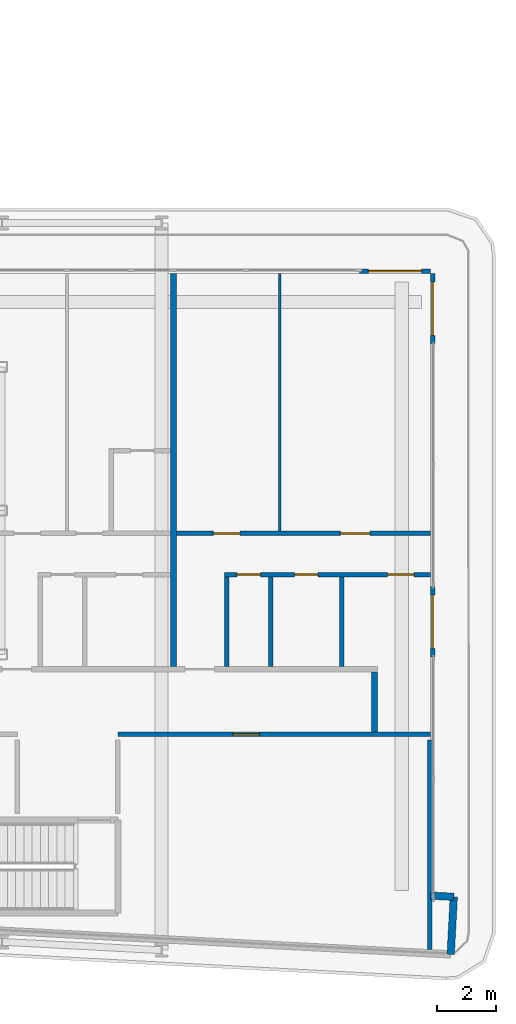
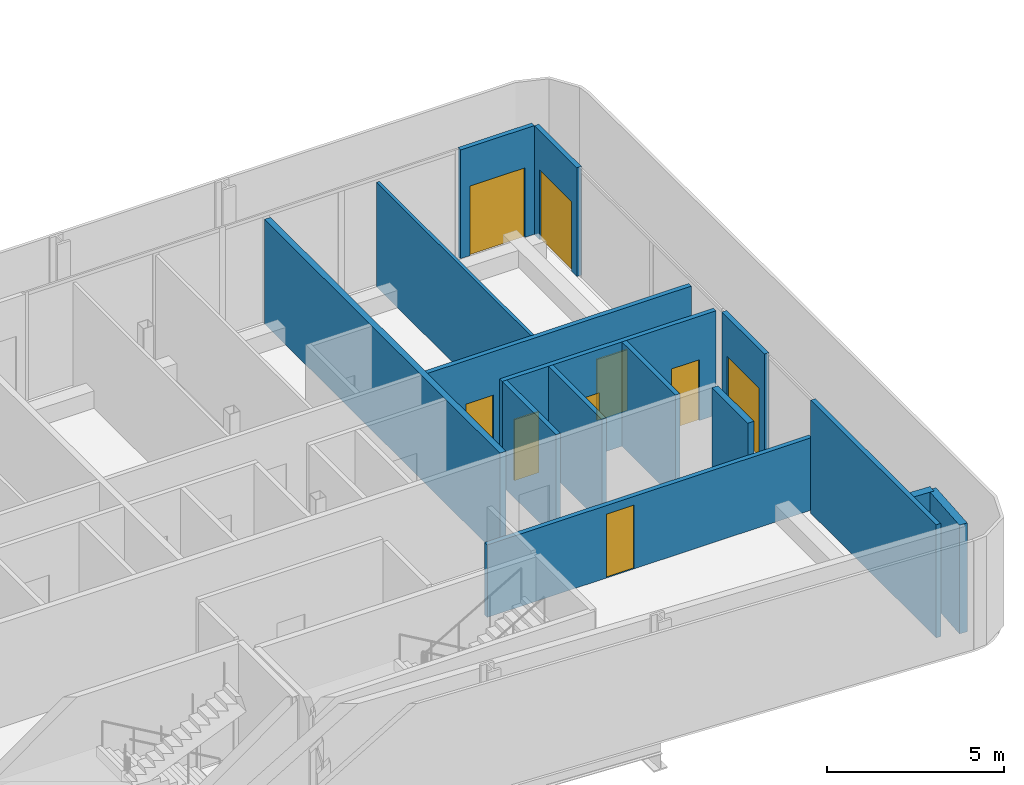
# One storey, part 19 of 28: 15 walls, 9 doors, 9 openings.
"""IFC4 building model written with IfcOpenShell, lengths in metres."""

from ifc_helpers import new_model, si_unit, direction, frame, frame_2d, origin, place, context, subcontext, project, spatial, rectangle, extrude, source, transform, mapped, material, layer, layer_set, type_object, element, fill, save


model = new_model("IFC4")

# Units and contexts
model_context = context("Model", 3, precision=1e-05, world=origin(), true_north=direction((0.0, 1.0)))
body_context = subcontext(model_context, "Body", "Model", "MODEL_VIEW")
ifc_project = project(units=[si_unit("LENGTHUNIT", "METRE"), si_unit("AREAUNIT", "SQUARE_METRE"), si_unit("VOLUMEUNIT", "CUBIC_METRE"), si_unit("PLANEANGLEUNIT", "RADIAN"), si_unit("MASSUNIT", "GRAM", prefix="KILO")], contexts=[model_context])

# Site, building, storey
site_placement = place(None, origin())
site = spatial("IfcSite", under=ifc_project, at=site_placement, CompositionType="ELEMENT")
building_placement = place(site_placement, origin())
building = spatial("IfcBuilding", under=site, at=building_placement, Name="Kheshtan School and Residences Tower", CompositionType="ELEMENT")
storey_placement = place(building_placement, frame((0.0, 0.0, 77.300048828125)))
storey = spatial("IfcBuildingStorey", under=building, at=storey_placement, Name="L18", CompositionType="ELEMENT", Elevation=77.300048828125)

# Walls
ifc_material_1 = material(Name="Gypsum board on steel studs with fire boards", Category="steel")
ifc_layer_1 = layer(ifc_material_1, 0.199951171875)
ifc_layer_set_1 = layer_set([ifc_layer_1], Name="Corridor wall 200")
wall_type_1 = type_object("IfcWallType", Name="Corridor wall 200", PredefinedType="PARTITIONING", material=ifc_layer_set_1)
wall_1_placement = place(storey_placement, frame((98.0, 28.3740234375, 0.0), z_axis=(0.0, 0.0, 1.0), x_axis=(0.0, 1.0, 0.0)))
element("IfcWall", 1, at=wall_1_placement, inside=storey, type_object=wall_type_1, Name="Partition L18-091", PredefinedType="PARTITIONING", context=body_context, shape_type="SweptSolid", body=[
    extrude(rectangle(XDim=2.02587890625, YDim=0.199951171875, at=frame_2d((1.012939453125, 0.0))), origin(), (0.0, 0.0, 1.0), 3.599853515625),
])
ifc_material_2 = material(Name="Concrete C40/50 with ceramic cladding and mineral wool insulation", Category="concrete")
ifc_layer_2 = layer(ifc_material_2, 0.25)
ifc_layer_set_2 = layer_set([ifc_layer_2], Name="External wall 250 ceramic clad")
wall_type_2 = type_object("IfcWallType", Name="External wall 250 ceramic clad", PredefinedType="SOLIDWALL", material=ifc_layer_set_2)
wall_2_placement = place(storey_placement, frame((99.906982421875, 22.839111328125, 0.0), z_axis=(0.0, 0.0, 1.0), x_axis=(0.998561284263, -0.053622398031, 0.0)))
element("IfcWall", 2, at=wall_2_placement, inside=storey, type_object=wall_type_2, Name="External wall L18 14", PredefinedType="SOLIDWALL", context=body_context, shape_type="SweptSolid", body=[
    extrude(rectangle(XDim=0.783203125, YDim=0.25, at=frame_2d((0.3916015625, 0.0))), origin(), (0.0, 0.0, 1.0), 3.75),
])
wall_3_placement = place(storey_placement, frame((100.68896484375, 22.797119140625, 0.0), z_axis=(0.0, 0.0, 1.0), x_axis=(-0.052841433274, -0.998602915542, 0.0)))
element("IfcWall", 3, at=wall_3_placement, inside=storey, type_object=wall_type_2, Name="External wall L18 15", PredefinedType="SOLIDWALL", context=body_context, shape_type="SweptSolid", body=[
    extrude(rectangle(XDim=1.94970703125, YDim=0.25, at=frame_2d((0.974853515625, 0.0))), origin(), (0.0, 0.0, 1.0), 3.75),
])

# Wall, opening, door
ifc_material_3 = material(Name="Aluminium frame wall with insulated infill", Category="aluminium")
ifc_layer_3 = layer(ifc_material_3, 0.14990234375)
ifc_layer_set_3 = layer_set([ifc_layer_3], Name="Glazing frame wall 150")
wall_type_3 = type_object("IfcWallType", Name="Glazing frame wall 150", PredefinedType="SOLIDWALL", material=ifc_layer_set_3)
wall_4_placement = place(storey_placement, frame((97.5, 43.97509765625, 0.0), z_axis=(0.0, 0.0, 1.0), x_axis=(1.0, 0.0, 0.0)))
wall_4 = element("IfcWall", 4, at=wall_4_placement, inside=storey, type_object=wall_type_3, Name="Balcony door wall L18 12.5", PredefinedType="SOLIDWALL", context=body_context, shape_type="SweptSolid", body=[
    extrude(rectangle(XDim=2.39990234375, YDim=0.14990234375, at=frame_2d((1.199951171875, 0.0))), origin(), (0.0, 0.0, 1.0), 3.75),
])
opening_1_placement = place(wall_4_placement, frame((0.300048828125, 0.0, 0.0)))
opening_1 = element("IfcOpeningElement", 5, at=opening_1_placement, cuts=wall_4, Name="Opening BD", PredefinedType="OPENING", context=body_context, shape_type="SweptSolid", body=[
    extrude(rectangle(XDim=1.800048828125, YDim=2.39990234375, at=frame_2d((0.89990234375, 1.199951171875))), frame((0.0, 0.0849609375, 0.0), z_axis=(0.0, -1.0, 0.0), x_axis=(1.0, 0.0, 0.0)), (0.0, 0.0, 1.0), 0.169921875),
])
ifc_material_4 = material(Name="Clear low-e glass in thermally broken aluminium frame", Category="aluminium")
door_type_1 = type_object("IfcDoorType", Name="Balcony sliding door", OperationType="SLIDING_TO_LEFT", PredefinedType="DOOR", material=ifc_material_4)
shared_shape_1 = source(origin(), body_context, "Body", "SweptSolid", [
    extrude(rectangle(XDim=1.800048828125, YDim=2.39990234375, at=frame_2d((0.89990234375, 1.199951171875))), frame((0.0, 0.02490234375, 0.0), z_axis=(0.0, -1.0, 0.0), x_axis=(1.0, 0.0, 0.0)), (0.0, 0.0, 1.0), 0.050048828125),
])
door_1_placement = place(opening_1_placement, origin())
door_1 = element("IfcDoor", 6, at=door_1_placement, inside=storey, type_object=door_type_1, Name="Balcony door L18 12.5", OperationType="SLIDING_TO_LEFT", OverallHeight=2.39990234375, OverallWidth=1.800048828125, PredefinedType="DOOR", context=body_context, shape_type="MappedRepresentation", body=[
    mapped(shared_shape_1, transform((0.0, 0.0, 0.0), x_axis=(1.0, 0.0, 0.0), y_axis=(0.0, 1.0, 0.0), z_axis=(0.0, 0.0, 1.0), scale=1.0)),
])
fill(opening_1, door_1)

wall_5_placement = place(storey_placement, frame((99.97509765625, 43.89990234375, 0.0), z_axis=(0.0, 0.0, 1.0), x_axis=(0.0, -1.0, 0.0)))
wall_5 = element("IfcWall", 7, at=wall_5_placement, inside=storey, type_object=wall_type_3, Name="Balcony door wall L18 13.1", PredefinedType="SOLIDWALL", context=body_context, shape_type="SweptSolid", body=[
    extrude(rectangle(XDim=2.39990234375, YDim=0.14990234375, at=frame_2d((1.199951171875, 0.0))), origin(), (0.0, 0.0, 1.0), 3.75),
])
opening_2_placement = place(wall_5_placement, frame((0.300048828125, 0.0, 0.0)))
opening_2 = element("IfcOpeningElement", 8, at=opening_2_placement, cuts=wall_5, Name="Opening BD", PredefinedType="OPENING", context=body_context, shape_type="SweptSolid", body=[
    extrude(rectangle(XDim=1.800048828125, YDim=2.39990234375, at=frame_2d((0.89990234375, 1.199951171875))), frame((0.0, 0.0849609375, 0.0), z_axis=(0.0, -1.0, 0.0), x_axis=(1.0, 0.0, 0.0)), (0.0, 0.0, 1.0), 0.169921875),
])
door_2_placement = place(opening_2_placement, origin())
door_2 = element("IfcDoor", 9, at=door_2_placement, inside=storey, type_object=door_type_1, Name="Balcony door L18 13.1", OperationType="SLIDING_TO_LEFT", OverallHeight=2.39990234375, OverallWidth=1.800048828125, PredefinedType="DOOR", context=body_context, shape_type="MappedRepresentation", body=[
    mapped(shared_shape_1, transform((0.0, 0.0, 0.0), x_axis=(1.0, 0.0, 0.0), y_axis=(0.0, 1.0, 0.0), z_axis=(0.0, 0.0, 1.0), scale=1.0)),
])
fill(opening_2, door_2)

wall_6_placement = place(storey_placement, frame((99.97509765625, 33.306884765625, 0.0), z_axis=(0.0, 0.0, 1.0), x_axis=(0.0, -1.0, 0.0)))
wall_6 = element("IfcWall", 10, at=wall_6_placement, inside=storey, type_object=wall_type_3, Name="Balcony door wall L18 13.2", PredefinedType="SOLIDWALL", context=body_context, shape_type="SweptSolid", body=[
    extrude(rectangle(XDim=2.39990234375, YDim=0.14990234375, at=frame_2d((1.199951171875, 0.0))), origin(), (0.0, 0.0, 1.0), 3.75),
])
opening_3_placement = place(wall_6_placement, frame((0.300048828125, 0.0, 0.0)))
opening_3 = element("IfcOpeningElement", 11, at=opening_3_placement, cuts=wall_6, Name="Opening BD", PredefinedType="OPENING", context=body_context, shape_type="SweptSolid", body=[
    extrude(rectangle(XDim=1.800048828125, YDim=2.39990234375, at=frame_2d((0.89990234375, 1.199951171875))), frame((0.0, 0.0849609375, 0.0), z_axis=(0.0, -1.0, 0.0), x_axis=(1.0, 0.0, 0.0)), (0.0, 0.0, 1.0), 0.169921875),
])
door_3_placement = place(opening_3_placement, origin())
door_3 = element("IfcDoor", 12, at=door_3_placement, inside=storey, type_object=door_type_1, Name="Balcony door L18 13.2", OperationType="SLIDING_TO_LEFT", OverallHeight=2.39990234375, OverallWidth=1.800048828125, PredefinedType="DOOR", context=body_context, shape_type="MappedRepresentation", body=[
    mapped(shared_shape_1, transform((0.0, 0.0, 0.0), x_axis=(1.0, 0.0, 0.0), y_axis=(0.0, 1.0, 0.0), z_axis=(0.0, 0.0, 1.0), scale=1.0)),
])
fill(opening_3, door_3)

# Wall
ifc_material_5 = material(Name="Gypsum board on steel studs", Category="steel")
ifc_layer_4 = layer(ifc_material_5, 0.10009765625)
ifc_layer_set_4 = layer_set([ifc_layer_4], Name="Gypsum partition 100")
wall_type_4 = type_object("IfcWallType", Name="Gypsum partition 100", PredefinedType="PARTITIONING", material=ifc_layer_set_4)
wall_7_placement = place(storey_placement, frame((94.800048828125, 35.175048828125, 0.0), z_axis=(0.0, 0.0, 1.0), x_axis=(0.0, 1.0, 0.0)))
element("IfcWall", 13, at=wall_7_placement, inside=storey, type_object=wall_type_4, Name="Partition L18-089", PredefinedType="PARTITIONING", context=body_context, shape_type="SweptSolid", body=[
    extrude(rectangle(XDim=8.724853515625, YDim=0.10009765625, at=frame_2d((4.3623046875, 0.0))), origin(), (0.0, 0.0, 1.0), 3.599853515625),
])

# Wall, opening, door
ifc_material_6 = material(Name="Fire-board shaft wall system")
ifc_layer_5 = layer(ifc_material_6, 0.14990234375)
ifc_layer_set_5 = layer_set([ifc_layer_5], Name="Service room wall 150")
wall_type_5 = type_object("IfcWallType", Name="Service room wall 150", PredefinedType="PARTITIONING", material=ifc_layer_set_5)
wall_8_placement = place(storey_placement, frame((89.320068359375, 28.300048828125, 0.0), z_axis=(0.0, 0.0, 1.0), x_axis=(1.0, 0.0, 0.0)))
wall_8 = element("IfcWall", 14, at=wall_8_placement, inside=storey, type_object=wall_type_5, Name="Service room wall", PredefinedType="PARTITIONING", context=body_context, shape_type="SweptSolid", body=[
    extrude(rectangle(XDim=10.577880859375, YDim=0.14990234375, at=frame_2d((5.2890625, 0.0))), origin(), (0.0, 0.0, 1.0), 2.5),
])
opening_4_placement = place(wall_8_placement, frame((3.889892578125, 0.0, 0.0)))
opening_4 = element("IfcOpeningElement", 15, at=opening_4_placement, cuts=wall_8, Name="Opening SR90", PredefinedType="OPENING", context=body_context, shape_type="SweptSolid", body=[
    extrude(rectangle(XDim=0.89990234375, YDim=2.199951171875, at=frame_2d((0.449951171875, 1.10009765625))), frame((0.0, 0.0849609375, 0.0), z_axis=(0.0, -1.0, 0.0), x_axis=(1.0, 0.0, 0.0)), (0.0, 0.0, 1.0), 0.169921875),
])
ifc_material_7 = material(Name="Steel door leaf, galvanised", Category="steel")
door_type_2 = type_object("IfcDoorType", Name="Service room door 900 steel 90 min", OperationType="SINGLE_SWING_LEFT", PredefinedType="DOOR", material=ifc_material_7)
shared_shape_2 = source(origin(), body_context, "Body", "SweptSolid", [
    extrude(rectangle(XDim=0.89990234375, YDim=2.199951171875, at=frame_2d((0.449951171875, 1.10009765625))), frame((0.0, 0.02490234375, 0.0), z_axis=(0.0, -1.0, 0.0), x_axis=(1.0, 0.0, 0.0)), (0.0, 0.0, 1.0), 0.050048828125),
])
door_4_placement = place(opening_4_placement, origin())
door_4 = element("IfcDoor", 16, at=door_4_placement, inside=storey, type_object=door_type_2, Name="Service room door", OperationType="SINGLE_SWING_RIGHT", OverallHeight=2.199951171875, OverallWidth=0.89990234375, PredefinedType="DOOR", context=body_context, shape_type="MappedRepresentation", body=[
    mapped(shared_shape_2, transform((0.0, 0.0, 0.0), x_axis=(1.0, 0.0, 0.0), y_axis=(0.0, 1.0, 0.0), z_axis=(0.0, 0.0, 1.0), scale=1.0)),
])
fill(opening_4, door_4)

# Walls
wall_9_placement = place(storey_placement, frame((99.8701171875, 21.014892578125, 0.0), z_axis=(0.0, 0.0, 1.0), x_axis=(0.0, 1.0, 0.0)))
element("IfcWall", 17, at=wall_9_placement, inside=storey, type_object=wall_type_5, Name="Service room wall", PredefinedType="PARTITIONING", context=body_context, shape_type="SweptSolid", body=[
    extrude(rectangle(XDim=7.090087890625, YDim=0.14990234375, at=frame_2d((3.544921875, 0.0))), origin(), (0.0, 0.0, 1.0), 3.89990234375),
])
ifc_material_8 = material(Name="Twin gypsum board on steel studs with mineral wool", Category="steel")
ifc_layer_6 = layer(ifc_material_8, 0.199951171875)
ifc_layer_set_6 = layer_set([ifc_layer_6], Name="Unit demising wall 200")
wall_type_6 = type_object("IfcWallType", Name="Unit demising wall 200", PredefinedType="PARTITIONING", material=ifc_layer_set_6)
wall_10_placement = place(storey_placement, frame((91.199951171875, 30.60009765625, 0.0), z_axis=(0.0, 0.0, 1.0), x_axis=(0.0, 1.0, 0.0)))
element("IfcWall", 18, at=wall_10_placement, inside=storey, type_object=wall_type_6, Name="Partition L18-084", PredefinedType="PARTITIONING", context=body_context, shape_type="SweptSolid", body=[
    extrude(rectangle(XDim=13.2998046875, YDim=0.199951171875, at=frame_2d((6.64990234375, 0.0))), origin(), (0.0, 0.0, 1.0), 3.599853515625),
])

# Wall, openings, doors
ifc_material_9 = material(Name="Moisture-resistant gypsum board on steel studs", Category="steel")
ifc_layer_7 = layer(ifc_material_9, 0.14990234375)
ifc_layer_set_7 = layer_set([ifc_layer_7], Name="Wet-room partition 150")
wall_type_7 = type_object("IfcWallType", Name="Wet-room partition 150", PredefinedType="PARTITIONING", material=ifc_layer_set_7)
wall_11_placement = place(storey_placement, frame((91.300048828125, 35.10009765625, 0.0), z_axis=(0.0, 0.0, 1.0), x_axis=(1.0, 0.0, 0.0)))
wall_11 = element("IfcWall", 19, at=wall_11_placement, inside=storey, type_object=wall_type_7, Name="Partition L18-085", PredefinedType="PARTITIONING", context=body_context, shape_type="SweptSolid", body=[
    extrude(rectangle(XDim=8.599853515625, YDim=0.14990234375, at=frame_2d((4.2998046875, 0.0))), origin(), (0.0, 0.0, 1.0), 3.599853515625),
])
opening_5_placement = place(wall_11_placement, frame((1.25, 0.0, 0.0)))
opening_5 = element("IfcOpeningElement", 20, at=opening_5_placement, cuts=wall_11, Name="Opening D17-031", PredefinedType="OPENING", context=body_context, shape_type="SweptSolid", body=[
    extrude(rectangle(XDim=0.89990234375, YDim=2.10009765625, at=frame_2d((0.449951171875, 1.050048828125))), frame((0.0, 0.0849609375, 0.0), z_axis=(0.0, -1.0, 0.0), x_axis=(1.0, 0.0, 0.0)), (0.0, 0.0, 1.0), 0.169921875),
])
opening_6_placement = place(wall_11_placement, frame((5.550048828125, 0.0, 0.0)))
opening_6 = element("IfcOpeningElement", 21, at=opening_6_placement, cuts=wall_11, Name="Opening D17-034", PredefinedType="OPENING", context=body_context, shape_type="SweptSolid", body=[
    extrude(rectangle(XDim=1.0, YDim=2.10009765625, at=frame_2d((0.5, 1.050048828125))), frame((0.0, 0.0849609375, 0.0), z_axis=(0.0, -1.0, 0.0), x_axis=(1.0, 0.0, 0.0)), (0.0, 0.0, 1.0), 0.169921875),
])
ifc_material_10 = material(Name="Veneered timber door leaf", Category="wood")
door_type_3 = type_object("IfcDoorType", Name="Door 1000 x 2100", OperationType="SINGLE_SWING_LEFT", PredefinedType="DOOR", material=ifc_material_10)
shared_shape_3 = source(origin(), body_context, "Body", "SweptSolid", [
    extrude(rectangle(XDim=1.0, YDim=2.10009765625, at=frame_2d((0.5, 1.050048828125))), frame((0.0, 0.02490234375, 0.0), z_axis=(0.0, -1.0, 0.0), x_axis=(1.0, 0.0, 0.0)), (0.0, 0.0, 1.0), 0.050048828125),
])
door_5_placement = place(opening_6_placement, origin())
door_5 = element("IfcDoor", 22, at=door_5_placement, inside=storey, type_object=door_type_3, Name="Door D17-034", OperationType="SINGLE_SWING_LEFT", OverallHeight=2.10009765625, OverallWidth=1.0, PredefinedType="DOOR", context=body_context, shape_type="MappedRepresentation", body=[
    mapped(shared_shape_3, transform((0.0, 0.0, 0.0), x_axis=(1.0, 0.0, 0.0), y_axis=(0.0, 1.0, 0.0), z_axis=(0.0, 0.0, 1.0), scale=1.0)),
])
fill(opening_6, door_5)
door_type_4 = type_object("IfcDoorType", Name="Door 900 x 2100", OperationType="SINGLE_SWING_LEFT", PredefinedType="DOOR", material=ifc_material_10)
shared_shape_4 = source(origin(), body_context, "Body", "SweptSolid", [
    extrude(rectangle(XDim=0.89990234375, YDim=2.10009765625, at=frame_2d((0.449951171875, 1.050048828125))), frame((0.0, 0.02490234375, 0.0), z_axis=(0.0, -1.0, 0.0), x_axis=(1.0, 0.0, 0.0)), (0.0, 0.0, 1.0), 0.050048828125),
])
door_6_placement = place(opening_5_placement, origin())
door_6 = element("IfcDoor", 23, at=door_6_placement, inside=storey, type_object=door_type_4, Name="Door D17-031", OperationType="SINGLE_SWING_RIGHT", OverallHeight=2.10009765625, OverallWidth=0.89990234375, PredefinedType="DOOR", context=body_context, shape_type="MappedRepresentation", body=[
    mapped(shared_shape_4, transform((0.0, 0.0, 0.0), x_axis=(1.0, 0.0, 0.0), y_axis=(0.0, 1.0, 0.0), z_axis=(0.0, 0.0, 1.0), scale=1.0)),
])
fill(opening_5, door_6)

wall_12_placement = place(storey_placement, frame((92.925048828125, 33.699951171875, 0.0), z_axis=(0.0, 0.0, 1.0), x_axis=(1.0, 0.0, 0.0)))
wall_12 = element("IfcWall", 24, at=wall_12_placement, inside=storey, type_object=wall_type_7, Name="Partition L18-086", PredefinedType="PARTITIONING", context=body_context, shape_type="SweptSolid", body=[
    extrude(rectangle(XDim=6.974853515625, YDim=0.14990234375, at=frame_2d((3.4873046875, 0.0))), origin(), (0.0, 0.0, 1.0), 3.599853515625),
])
opening_7_placement = place(wall_12_placement, frame((2.375, 0.0, 0.0)))
opening_7 = element("IfcOpeningElement", 25, at=opening_7_placement, cuts=wall_12, Name="Opening D17-030", PredefinedType="OPENING", context=body_context, shape_type="SweptSolid", body=[
    extrude(rectangle(XDim=0.800048828125, YDim=2.10009765625, at=frame_2d((0.39990234375, 1.050048828125))), frame((0.0, 0.0849609375, 0.0), z_axis=(0.0, -1.0, 0.0), x_axis=(1.0, 0.0, 0.0)), (0.0, 0.0, 1.0), 0.169921875),
])
opening_8_placement = place(wall_12_placement, frame((5.52490234375, 0.0, 0.0)))
opening_8 = element("IfcOpeningElement", 26, at=opening_8_placement, cuts=wall_12, Name="Opening D17-033", PredefinedType="OPENING", context=body_context, shape_type="SweptSolid", body=[
    extrude(rectangle(XDim=0.89990234375, YDim=2.10009765625, at=frame_2d((0.449951171875, 1.050048828125))), frame((0.0, 0.0849609375, 0.0), z_axis=(0.0, -1.0, 0.0), x_axis=(1.0, 0.0, 0.0)), (0.0, 0.0, 1.0), 0.169921875),
])
opening_9_placement = place(wall_12_placement, frame((0.425048828125, 0.0, 0.0)))
opening_9 = element("IfcOpeningElement", 27, at=opening_9_placement, cuts=wall_12, Name="Opening D17-035", PredefinedType="OPENING", context=body_context, shape_type="SweptSolid", body=[
    extrude(rectangle(XDim=0.800048828125, YDim=2.10009765625, at=frame_2d((0.39990234375, 1.050048828125))), frame((0.0, 0.0849609375, 0.0), z_axis=(0.0, -1.0, 0.0), x_axis=(1.0, 0.0, 0.0)), (0.0, 0.0, 1.0), 0.169921875),
])
door_type_5 = type_object("IfcDoorType", Name="Door 800 x 2100", OperationType="SINGLE_SWING_LEFT", PredefinedType="DOOR", material=ifc_material_10)
shared_shape_5 = source(origin(), body_context, "Body", "SweptSolid", [
    extrude(rectangle(XDim=0.800048828125, YDim=2.10009765625, at=frame_2d((0.39990234375, 1.050048828125))), frame((0.0, 0.02490234375, 0.0), z_axis=(0.0, -1.0, 0.0), x_axis=(1.0, 0.0, 0.0)), (0.0, 0.0, 1.0), 0.050048828125),
])
door_7_placement = place(opening_7_placement, origin())
door_7 = element("IfcDoor", 28, at=door_7_placement, inside=storey, type_object=door_type_5, Name="Door D17-030", OperationType="SINGLE_SWING_LEFT", OverallHeight=2.10009765625, OverallWidth=0.800048828125, PredefinedType="DOOR", context=body_context, shape_type="MappedRepresentation", body=[
    mapped(shared_shape_5, transform((0.0, 0.0, 0.0), x_axis=(1.0, 0.0, 0.0), y_axis=(0.0, 1.0, 0.0), z_axis=(0.0, 0.0, 1.0), scale=1.0)),
])
fill(opening_7, door_7)
door_8_placement = place(opening_9_placement, origin())
door_8 = element("IfcDoor", 29, at=door_8_placement, inside=storey, type_object=door_type_5, Name="Door D17-035", OperationType="SINGLE_SWING_LEFT", OverallHeight=2.10009765625, OverallWidth=0.800048828125, PredefinedType="DOOR", context=body_context, shape_type="MappedRepresentation", body=[
    mapped(shared_shape_5, transform((0.0, 0.0, 0.0), x_axis=(1.0, 0.0, 0.0), y_axis=(0.0, 1.0, 0.0), z_axis=(0.0, 0.0, 1.0), scale=1.0)),
])
fill(opening_9, door_8)
door_9_placement = place(opening_8_placement, origin())
door_9 = element("IfcDoor", 30, at=door_9_placement, inside=storey, type_object=door_type_4, Name="Door D17-033", OperationType="SINGLE_SWING_RIGHT", OverallHeight=2.10009765625, OverallWidth=0.89990234375, PredefinedType="DOOR", context=body_context, shape_type="MappedRepresentation", body=[
    mapped(shared_shape_4, transform((0.0, 0.0, 0.0), x_axis=(1.0, 0.0, 0.0), y_axis=(0.0, 1.0, 0.0), z_axis=(0.0, 0.0, 1.0), scale=1.0)),
])
fill(opening_8, door_9)

# Walls
for number, where, z_axis, x_axis, name in (
    (31, (93.0, 30.60009765625, 0.0), (0.0, 0.0, 1.0), (0.0, 1.0, 0.0), "Partition L18-087"),
    (32, (94.5, 30.60009765625, 0.0), (0.0, 0.0, 1.0), (0.0, 1.0, 0.0), "Partition L18-088"),
    (33, (96.89990234375, 30.60009765625, 0.0), (0.0, 0.0, 1.0), (0.0, 1.0, 0.0), "Partition L18-090"),
):
    element("IfcWall", number, at=place(storey_placement, frame(where, z_axis=z_axis, x_axis=x_axis)), inside=storey, type_object=wall_type_7, Name=name, PredefinedType="PARTITIONING", context=body_context, shape_type="SweptSolid", body=[
        extrude(rectangle(XDim=3.02490234375, YDim=0.14990234375, at=frame_2d((1.512451171875, 0.0))), origin(), (0.0, 0.0, 1.0), 3.599853515625),
    ])

save(model, "model.ifc")
